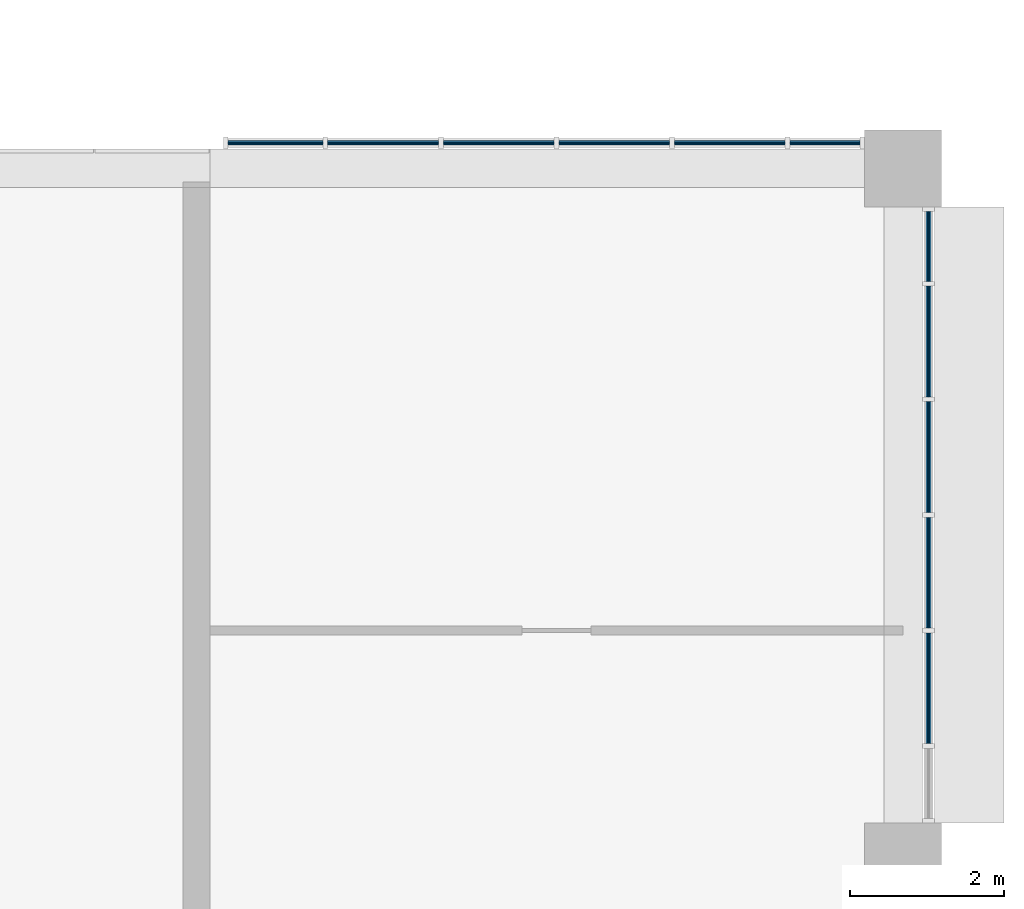
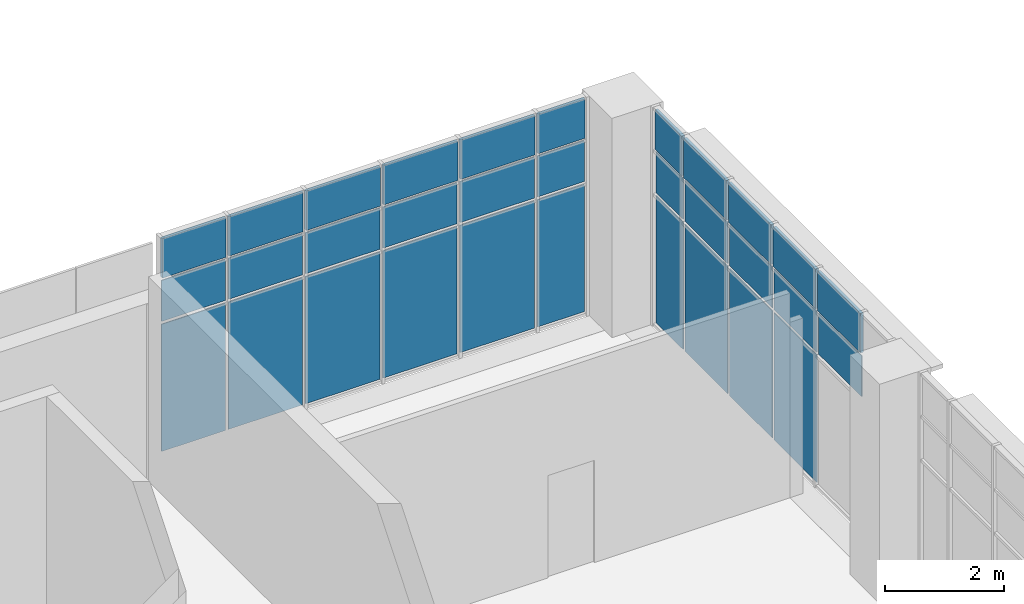
# One storey, part 53 of 88: 32 plates, 2 elements without a shape of their own.
"""IFC4 building model written with IfcOpenShell, lengths in metres."""

from ifc_helpers import new_model, si_unit, direction, frame, origin, origin_2d, place, context, subcontext, project, spatial, rectangle, extrude, material, layer, layer_set, type_object, element, aggregate, save


model = new_model("IFC4")

# Units and contexts
model_context = context("Model", 3, precision=1e-05, world=origin(), true_north=direction((0.0, 1.0)))
body_context = subcontext(model_context, "Body", "Model", "MODEL_VIEW")
ifc_project = project(units=[si_unit("LENGTHUNIT", "METRE"), si_unit("AREAUNIT", "SQUARE_METRE"), si_unit("VOLUMEUNIT", "CUBIC_METRE"), si_unit("PLANEANGLEUNIT", "RADIAN"), si_unit("MASSUNIT", "GRAM", prefix="KILO")], contexts=[model_context])

# Site, building, storey
site_placement = place(None, origin())
site = spatial("IfcSite", under=ifc_project, at=site_placement, CompositionType="ELEMENT")
building_placement = place(site_placement, origin())
building = spatial("IfcBuilding", under=site, at=building_placement, Name="Guidao Yard Department Store", CompositionType="ELEMENT")
storey_placement = place(building_placement, frame((0.0, 0.0, 6.0)))
storey = spatial("IfcBuildingStorey", under=building, at=storey_placement, Name="L01", CompositionType="ELEMENT", Elevation=6.0)

# Curtain wall, plates
ifc_material_1 = material(Name="Aluminium and glass", Category="aluminium")
ifc_layer_1 = layer(ifc_material_1, 0.159912109375)
ifc_layer_set_1 = layer_set([ifc_layer_1], Name="Unitised curtain wall CW4 1500 module")
curtain_wall_type = type_object("IfcCurtainWallType", Name="Unitised curtain wall CW4 1500 module", PredefinedType="NOTDEFINED", material=ifc_layer_set_1)
curtain_wall_1_placement = place(storey_placement, origin())
curtain_wall_1 = element("IfcCurtainWall", 1, at=curtain_wall_1_placement, inside=storey, type_object=curtain_wall_type, Name="Unitised curtain wall", PredefinedType="NOTDEFINED")
ifc_material_2 = material(Name="Aluminium 6063-T5 faced insulated spandrel", Category="aluminium")
ifc_layer_2 = layer(ifc_material_2, 0.06005859375)
ifc_layer_set_2 = layer_set([ifc_layer_2], Name="Spandrel panel SP1 insulated opaque")
plate_type_1 = type_object("IfcPlateType", Name="Spandrel panel SP1 insulated opaque", PredefinedType="CURTAIN_PANEL", material=ifc_layer_set_2)
plate_1_placement = place(storey_placement, frame((162.8525390625, 27.330078125, 3.6298828125), z_axis=(0.0, 0.0, 1.0), x_axis=(1.0, 0.0, 0.0)))
plate_1 = element("IfcPlate", 2, at=plate_1_placement, type_object=plate_type_1, Name="CW-OW-L01-08 panel 1.3", PredefinedType="CURTAIN_PANEL", context=body_context, shape_type="SweptSolid", body=[
    extrude(rectangle(XDim=1.235107421875, YDim=0.06005859375, at=origin_2d()), origin(), (0.0, 0.0, 1.0), 0.81005859375),
])
plate_2_placement = place(storey_placement, frame((164.25, 27.330078125, 3.6298828125), z_axis=(0.0, 0.0, 1.0), x_axis=(1.0, 0.0, 0.0)))
plate_2 = element("IfcPlate", 3, at=plate_2_placement, type_object=plate_type_1, Name="CW-OW-L01-08 panel 2.3", PredefinedType="CURTAIN_PANEL", context=body_context, shape_type="SweptSolid", body=[
    extrude(rectangle(XDim=1.43994140625, YDim=0.06005859375, at=origin_2d()), origin(), (0.0, 0.0, 1.0), 0.81005859375),
])
plate_3_placement = place(storey_placement, frame((165.75, 27.330078125, 3.6298828125), z_axis=(0.0, 0.0, 1.0), x_axis=(1.0, 0.0, 0.0)))
plate_3 = element("IfcPlate", 4, at=plate_3_placement, type_object=plate_type_1, Name="CW-OW-L01-08 panel 3.3", PredefinedType="CURTAIN_PANEL", context=body_context, shape_type="SweptSolid", body=[
    extrude(rectangle(XDim=1.43994140625, YDim=0.06005859375, at=origin_2d()), origin(), (0.0, 0.0, 1.0), 0.81005859375),
])
plate_4_placement = place(storey_placement, frame((167.25, 27.330078125, 3.6298828125), z_axis=(0.0, 0.0, 1.0), x_axis=(1.0, 0.0, 0.0)))
plate_4 = element("IfcPlate", 5, at=plate_4_placement, type_object=plate_type_1, Name="CW-OW-L01-08 panel 4.3", PredefinedType="CURTAIN_PANEL", context=body_context, shape_type="SweptSolid", body=[
    extrude(rectangle(XDim=1.43994140625, YDim=0.06005859375, at=origin_2d()), origin(), (0.0, 0.0, 1.0), 0.81005859375),
])
plate_5_placement = place(storey_placement, frame((168.75, 27.330078125, 3.6298828125), z_axis=(0.0, 0.0, 1.0), x_axis=(1.0, 0.0, 0.0)))
plate_5 = element("IfcPlate", 6, at=plate_5_placement, type_object=plate_type_1, Name="CW-OW-L01-08 panel 5.3", PredefinedType="CURTAIN_PANEL", context=body_context, shape_type="SweptSolid", body=[
    extrude(rectangle(XDim=1.43994140625, YDim=0.06005859375, at=origin_2d()), origin(), (0.0, 0.0, 1.0), 0.81005859375),
])
plate_6_placement = place(storey_placement, frame((169.985107421875, 27.330078125, 3.6298828125), z_axis=(0.0, 0.0, 1.0), x_axis=(1.0, 0.0, 0.0)))
plate_6 = element("IfcPlate", 7, at=plate_6_placement, type_object=plate_type_1, Name="CW-OW-L01-08 panel 6.3", PredefinedType="CURTAIN_PANEL", context=body_context, shape_type="SweptSolid", body=[
    extrude(rectangle(XDim=0.909912109375, YDim=0.06005859375, at=origin_2d()), origin(), (0.0, 0.0, 1.0), 0.81005859375),
])

curtain_wall_2_placement = place(storey_placement, origin())
curtain_wall_2 = element("IfcCurtainWall", 8, at=curtain_wall_2_placement, inside=storey, type_object=curtain_wall_type, Name="Unitised curtain wall", PredefinedType="NOTDEFINED")
plate_7_placement = place(storey_placement, frame((171.330078125, 20.25, 3.6298828125), z_axis=(0.0, 0.0, 1.0), x_axis=(0.0, -1.0, 0.0)))
plate_7 = element("IfcPlate", 9, at=plate_7_placement, type_object=plate_type_1, Name="CW-OW-L01-11 panel 2.3", PredefinedType="CURTAIN_PANEL", context=body_context, shape_type="SweptSolid", body=[
    extrude(rectangle(XDim=1.43994140625, YDim=0.06005859375, at=origin_2d()), origin(), (0.0, 0.0, 1.0), 0.81005859375),
])
plate_8_placement = place(storey_placement, frame((171.330078125, 21.75, 3.6298828125), z_axis=(0.0, 0.0, 1.0), x_axis=(0.0, -1.0, 0.0)))
plate_8 = element("IfcPlate", 10, at=plate_8_placement, type_object=plate_type_1, Name="CW-OW-L01-11 panel 3.3", PredefinedType="CURTAIN_PANEL", context=body_context, shape_type="SweptSolid", body=[
    extrude(rectangle(XDim=1.43994140625, YDim=0.06005859375, at=origin_2d()), origin(), (0.0, 0.0, 1.0), 0.81005859375),
])
plate_9_placement = place(storey_placement, frame((171.330078125, 23.25, 3.6298828125), z_axis=(0.0, 0.0, 1.0), x_axis=(0.0, -1.0, 0.0)))
plate_9 = element("IfcPlate", 11, at=plate_9_placement, type_object=plate_type_1, Name="CW-OW-L01-11 panel 4.3", PredefinedType="CURTAIN_PANEL", context=body_context, shape_type="SweptSolid", body=[
    extrude(rectangle(XDim=1.43994140625, YDim=0.06005859375, at=origin_2d()), origin(), (0.0, 0.0, 1.0), 0.81005859375),
])
plate_10_placement = place(storey_placement, frame((171.330078125, 24.75, 3.6298828125), z_axis=(0.0, 0.0, 1.0), x_axis=(0.0, -1.0, 0.0)))
plate_10 = element("IfcPlate", 12, at=plate_10_placement, type_object=plate_type_1, Name="CW-OW-L01-11 panel 5.3", PredefinedType="CURTAIN_PANEL", context=body_context, shape_type="SweptSolid", body=[
    extrude(rectangle(XDim=1.43994140625, YDim=0.06005859375, at=origin_2d()), origin(), (0.0, 0.0, 1.0), 0.81005859375),
])
plate_11_placement = place(storey_placement, frame((171.330078125, 25.985107421875, 3.6298828125), z_axis=(0.0, 0.0, 1.0), x_axis=(0.0, -1.0, 0.0)))
plate_11 = element("IfcPlate", 13, at=plate_11_placement, type_object=plate_type_1, Name="CW-OW-L01-11 panel 6.3", PredefinedType="CURTAIN_PANEL", context=body_context, shape_type="SweptSolid", body=[
    extrude(rectangle(XDim=0.909912109375, YDim=0.06005859375, at=origin_2d()), origin(), (0.0, 0.0, 1.0), 0.81005859375),
])

# Plate
ifc_material_3 = material(Name="Laminated heat-soaked tempered glass", Category="glass")
ifc_layer_3 = layer(ifc_material_3, 0.017578125)
ifc_layer_set_3 = layer_set([ifc_layer_3], Name="Vision glass VG1 laminated heat-soaked tempered 8+8")
plate_type_2 = type_object("IfcPlateType", Name="Vision glass VG1 laminated heat-soaked tempered 8+8", PredefinedType="CURTAIN_PANEL", material=ifc_layer_set_3)
plate_12_placement = place(storey_placement, frame((162.8525390625, 27.330078125, 0.06005859375), z_axis=(0.0, 0.0, 1.0), x_axis=(1.0, 0.0, 0.0)))
plate_12 = element("IfcPlate", 14, at=plate_12_placement, type_object=plate_type_2, Name="CW-OW-L01-08 panel 1.1", PredefinedType="CURTAIN_PANEL", context=body_context, shape_type="SweptSolid", body=[
    extrude(rectangle(XDim=1.235107421875, YDim=0.017578125, at=origin_2d()), origin(), (0.0, 0.0, 1.0), 2.610107421875),
])

plate_13_placement = place(storey_placement, frame((162.8525390625, 27.330078125, 2.72998046875), z_axis=(0.0, 0.0, 1.0), x_axis=(1.0, 0.0, 0.0)))
plate_13 = element("IfcPlate", 15, at=plate_13_placement, type_object=plate_type_2, Name="CW-OW-L01-08 panel 1.2", PredefinedType="CURTAIN_PANEL", context=body_context, shape_type="SweptSolid", body=[
    extrude(rectangle(XDim=1.235107421875, YDim=0.017578125, at=origin_2d()), origin(), (0.0, 0.0, 1.0), 0.840087890625),
])

plate_14_placement = place(storey_placement, frame((164.25, 27.330078125, 0.06005859375), z_axis=(0.0, 0.0, 1.0), x_axis=(1.0, 0.0, 0.0)))
plate_14 = element("IfcPlate", 16, at=plate_14_placement, type_object=plate_type_2, Name="CW-OW-L01-08 panel 2.1", PredefinedType="CURTAIN_PANEL", context=body_context, shape_type="SweptSolid", body=[
    extrude(rectangle(XDim=1.43994140625, YDim=0.017578125, at=origin_2d()), origin(), (0.0, 0.0, 1.0), 2.610107421875),
])

plate_15_placement = place(storey_placement, frame((164.25, 27.330078125, 2.72998046875), z_axis=(0.0, 0.0, 1.0), x_axis=(1.0, 0.0, 0.0)))
plate_15 = element("IfcPlate", 17, at=plate_15_placement, type_object=plate_type_2, Name="CW-OW-L01-08 panel 2.2", PredefinedType="CURTAIN_PANEL", context=body_context, shape_type="SweptSolid", body=[
    extrude(rectangle(XDim=1.43994140625, YDim=0.017578125, at=origin_2d()), origin(), (0.0, 0.0, 1.0), 0.840087890625),
])

plate_16_placement = place(storey_placement, frame((165.75, 27.330078125, 0.06005859375), z_axis=(0.0, 0.0, 1.0), x_axis=(1.0, 0.0, 0.0)))
plate_16 = element("IfcPlate", 18, at=plate_16_placement, type_object=plate_type_2, Name="CW-OW-L01-08 panel 3.1", PredefinedType="CURTAIN_PANEL", context=body_context, shape_type="SweptSolid", body=[
    extrude(rectangle(XDim=1.43994140625, YDim=0.017578125, at=origin_2d()), origin(), (0.0, 0.0, 1.0), 2.610107421875),
])

plate_17_placement = place(storey_placement, frame((165.75, 27.330078125, 2.72998046875), z_axis=(0.0, 0.0, 1.0), x_axis=(1.0, 0.0, 0.0)))
plate_17 = element("IfcPlate", 19, at=plate_17_placement, type_object=plate_type_2, Name="CW-OW-L01-08 panel 3.2", PredefinedType="CURTAIN_PANEL", context=body_context, shape_type="SweptSolid", body=[
    extrude(rectangle(XDim=1.43994140625, YDim=0.017578125, at=origin_2d()), origin(), (0.0, 0.0, 1.0), 0.840087890625),
])

plate_18_placement = place(storey_placement, frame((167.25, 27.330078125, 0.06005859375), z_axis=(0.0, 0.0, 1.0), x_axis=(1.0, 0.0, 0.0)))
plate_18 = element("IfcPlate", 20, at=plate_18_placement, type_object=plate_type_2, Name="CW-OW-L01-08 panel 4.1", PredefinedType="CURTAIN_PANEL", context=body_context, shape_type="SweptSolid", body=[
    extrude(rectangle(XDim=1.43994140625, YDim=0.017578125, at=origin_2d()), origin(), (0.0, 0.0, 1.0), 2.610107421875),
])

plate_19_placement = place(storey_placement, frame((167.25, 27.330078125, 2.72998046875), z_axis=(0.0, 0.0, 1.0), x_axis=(1.0, 0.0, 0.0)))
plate_19 = element("IfcPlate", 21, at=plate_19_placement, type_object=plate_type_2, Name="CW-OW-L01-08 panel 4.2", PredefinedType="CURTAIN_PANEL", context=body_context, shape_type="SweptSolid", body=[
    extrude(rectangle(XDim=1.43994140625, YDim=0.017578125, at=origin_2d()), origin(), (0.0, 0.0, 1.0), 0.840087890625),
])

plate_20_placement = place(storey_placement, frame((168.75, 27.330078125, 0.06005859375), z_axis=(0.0, 0.0, 1.0), x_axis=(1.0, 0.0, 0.0)))
plate_20 = element("IfcPlate", 22, at=plate_20_placement, type_object=plate_type_2, Name="CW-OW-L01-08 panel 5.1", PredefinedType="CURTAIN_PANEL", context=body_context, shape_type="SweptSolid", body=[
    extrude(rectangle(XDim=1.43994140625, YDim=0.017578125, at=origin_2d()), origin(), (0.0, 0.0, 1.0), 2.610107421875),
])

plate_21_placement = place(storey_placement, frame((168.75, 27.330078125, 2.72998046875), z_axis=(0.0, 0.0, 1.0), x_axis=(1.0, 0.0, 0.0)))
plate_21 = element("IfcPlate", 23, at=plate_21_placement, type_object=plate_type_2, Name="CW-OW-L01-08 panel 5.2", PredefinedType="CURTAIN_PANEL", context=body_context, shape_type="SweptSolid", body=[
    extrude(rectangle(XDim=1.43994140625, YDim=0.017578125, at=origin_2d()), origin(), (0.0, 0.0, 1.0), 0.840087890625),
])

plate_22_placement = place(storey_placement, frame((169.985107421875, 27.330078125, 0.06005859375), z_axis=(0.0, 0.0, 1.0), x_axis=(1.0, 0.0, 0.0)))
plate_22 = element("IfcPlate", 24, at=plate_22_placement, type_object=plate_type_2, Name="CW-OW-L01-08 panel 6.1", PredefinedType="CURTAIN_PANEL", context=body_context, shape_type="SweptSolid", body=[
    extrude(rectangle(XDim=0.909912109375, YDim=0.017578125, at=origin_2d()), origin(), (0.0, 0.0, 1.0), 2.610107421875),
])

plate_23_placement = place(storey_placement, frame((169.985107421875, 27.330078125, 2.72998046875), z_axis=(0.0, 0.0, 1.0), x_axis=(1.0, 0.0, 0.0)))
plate_23 = element("IfcPlate", 25, at=plate_23_placement, type_object=plate_type_2, Name="CW-OW-L01-08 panel 6.2", PredefinedType="CURTAIN_PANEL", context=body_context, shape_type="SweptSolid", body=[
    extrude(rectangle(XDim=0.909912109375, YDim=0.017578125, at=origin_2d()), origin(), (0.0, 0.0, 1.0), 0.840087890625),
])

aggregate(curtain_wall_1, [plate_12, plate_13, plate_1, plate_14, plate_15, plate_2, plate_16, plate_17, plate_3, plate_18, plate_19, plate_4, plate_20, plate_21, plate_5, plate_22, plate_23, plate_6])

plate_24_placement = place(storey_placement, frame((171.330078125, 20.25, 2.72998046875), z_axis=(0.0, 0.0, 1.0), x_axis=(0.0, -1.0, 0.0)))
plate_24 = element("IfcPlate", 26, at=plate_24_placement, type_object=plate_type_2, Name="CW-OW-L01-11 panel 2.2", PredefinedType="CURTAIN_PANEL", context=body_context, shape_type="SweptSolid", body=[
    extrude(rectangle(XDim=1.43994140625, YDim=0.017578125, at=origin_2d()), origin(), (0.0, 0.0, 1.0), 0.840087890625),
])

plate_25_placement = place(storey_placement, frame((171.330078125, 21.75, 0.06005859375), z_axis=(0.0, 0.0, 1.0), x_axis=(0.0, -1.0, 0.0)))
plate_25 = element("IfcPlate", 27, at=plate_25_placement, type_object=plate_type_2, Name="CW-OW-L01-11 panel 3.1", PredefinedType="CURTAIN_PANEL", context=body_context, shape_type="SweptSolid", body=[
    extrude(rectangle(XDim=1.43994140625, YDim=0.017578125, at=origin_2d()), origin(), (0.0, 0.0, 1.0), 2.610107421875),
])

plate_26_placement = place(storey_placement, frame((171.330078125, 21.75, 2.72998046875), z_axis=(0.0, 0.0, 1.0), x_axis=(0.0, -1.0, 0.0)))
plate_26 = element("IfcPlate", 28, at=plate_26_placement, type_object=plate_type_2, Name="CW-OW-L01-11 panel 3.2", PredefinedType="CURTAIN_PANEL", context=body_context, shape_type="SweptSolid", body=[
    extrude(rectangle(XDim=1.43994140625, YDim=0.017578125, at=origin_2d()), origin(), (0.0, 0.0, 1.0), 0.840087890625),
])

plate_27_placement = place(storey_placement, frame((171.330078125, 23.25, 0.06005859375), z_axis=(0.0, 0.0, 1.0), x_axis=(0.0, -1.0, 0.0)))
plate_27 = element("IfcPlate", 29, at=plate_27_placement, type_object=plate_type_2, Name="CW-OW-L01-11 panel 4.1", PredefinedType="CURTAIN_PANEL", context=body_context, shape_type="SweptSolid", body=[
    extrude(rectangle(XDim=1.43994140625, YDim=0.017578125, at=origin_2d()), origin(), (0.0, 0.0, 1.0), 2.610107421875),
])

plate_28_placement = place(storey_placement, frame((171.330078125, 23.25, 2.72998046875), z_axis=(0.0, 0.0, 1.0), x_axis=(0.0, -1.0, 0.0)))
plate_28 = element("IfcPlate", 30, at=plate_28_placement, type_object=plate_type_2, Name="CW-OW-L01-11 panel 4.2", PredefinedType="CURTAIN_PANEL", context=body_context, shape_type="SweptSolid", body=[
    extrude(rectangle(XDim=1.43994140625, YDim=0.017578125, at=origin_2d()), origin(), (0.0, 0.0, 1.0), 0.840087890625),
])

plate_29_placement = place(storey_placement, frame((171.330078125, 24.75, 0.06005859375), z_axis=(0.0, 0.0, 1.0), x_axis=(0.0, -1.0, 0.0)))
plate_29 = element("IfcPlate", 31, at=plate_29_placement, type_object=plate_type_2, Name="CW-OW-L01-11 panel 5.1", PredefinedType="CURTAIN_PANEL", context=body_context, shape_type="SweptSolid", body=[
    extrude(rectangle(XDim=1.43994140625, YDim=0.017578125, at=origin_2d()), origin(), (0.0, 0.0, 1.0), 2.610107421875),
])

plate_30_placement = place(storey_placement, frame((171.330078125, 24.75, 2.72998046875), z_axis=(0.0, 0.0, 1.0), x_axis=(0.0, -1.0, 0.0)))
plate_30 = element("IfcPlate", 32, at=plate_30_placement, type_object=plate_type_2, Name="CW-OW-L01-11 panel 5.2", PredefinedType="CURTAIN_PANEL", context=body_context, shape_type="SweptSolid", body=[
    extrude(rectangle(XDim=1.43994140625, YDim=0.017578125, at=origin_2d()), origin(), (0.0, 0.0, 1.0), 0.840087890625),
])

plate_31_placement = place(storey_placement, frame((171.330078125, 25.985107421875, 0.06005859375), z_axis=(0.0, 0.0, 1.0), x_axis=(0.0, -1.0, 0.0)))
plate_31 = element("IfcPlate", 33, at=plate_31_placement, type_object=plate_type_2, Name="CW-OW-L01-11 panel 6.1", PredefinedType="CURTAIN_PANEL", context=body_context, shape_type="SweptSolid", body=[
    extrude(rectangle(XDim=0.909912109375, YDim=0.017578125, at=origin_2d()), origin(), (0.0, 0.0, 1.0), 2.610107421875),
])

plate_32_placement = place(storey_placement, frame((171.330078125, 25.985107421875, 2.72998046875), z_axis=(0.0, 0.0, 1.0), x_axis=(0.0, -1.0, 0.0)))
plate_32 = element("IfcPlate", 34, at=plate_32_placement, type_object=plate_type_2, Name="CW-OW-L01-11 panel 6.2", PredefinedType="CURTAIN_PANEL", context=body_context, shape_type="SweptSolid", body=[
    extrude(rectangle(XDim=0.909912109375, YDim=0.017578125, at=origin_2d()), origin(), (0.0, 0.0, 1.0), 0.840087890625),
])

aggregate(curtain_wall_2, [plate_24, plate_7, plate_25, plate_26, plate_8, plate_27, plate_28, plate_9, plate_29, plate_30, plate_10, plate_31, plate_32, plate_11])

save(model, "model.ifc")
